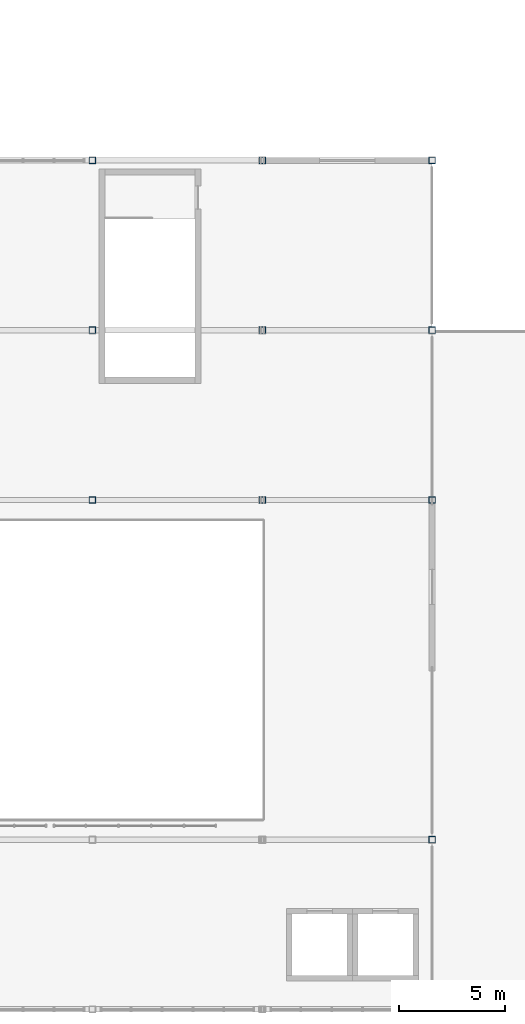
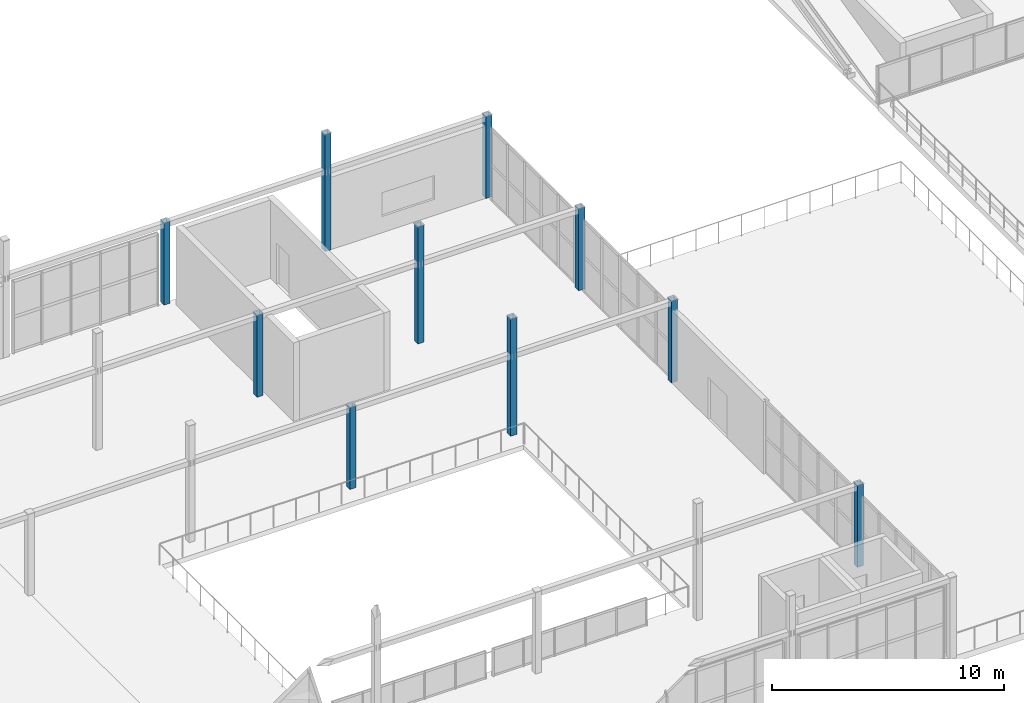
# One storey, part 9 of 83: 10 columns.
"""IFC4 building model written with IfcOpenShell, lengths in metres."""

from ifc_helpers import new_model, si_unit, direction, frame, origin, origin_2d, place, context, subcontext, project, spatial, hollow_rectangle, extrude, material, material_profile, profile_set, type_object, element, save


model = new_model("IFC4")

# Units and contexts
model_context = context("Model", 3, precision=1e-05, world=origin(), true_north=direction((0.0, 1.0)))
body_context = subcontext(model_context, "Body", "Model", "MODEL_VIEW")
ifc_project = project(units=[si_unit("LENGTHUNIT", "METRE"), si_unit("AREAUNIT", "SQUARE_METRE"), si_unit("VOLUMEUNIT", "CUBIC_METRE"), si_unit("PLANEANGLEUNIT", "RADIAN"), si_unit("MASSUNIT", "GRAM", prefix="KILO")], contexts=[model_context])

# Site, building, storey
site_placement = place(None, origin())
site = spatial("IfcSite", under=ifc_project, at=site_placement, CompositionType="ELEMENT")
building_placement = place(site_placement, origin())
building = spatial("IfcBuilding", under=site, at=building_placement, Name="Drelvath Fold Interchange", CompositionType="ELEMENT")
storey_placement = place(building_placement, frame((0.0, 0.0, 11.199951171875)))
storey = spatial("IfcBuildingStorey", under=building, at=storey_placement, Name="L02", CompositionType="ELEMENT", Elevation=11.199951171875)

# Columns
ifc_material = material(Name="Steel ASTM A500 Grade C", Category="steel")
ifc_material_profile = material_profile(ifc_material, hollow_rectangle(XDim=0.304931640625, YDim=0.304931640625, WallThickness=0.01171875, at=origin_2d()), Name="HSS12X12X1/2")
ifc_profile_set = profile_set([ifc_material_profile], Name="Steel ASTM A500 Grade C")
column_type = type_object("IfcColumnType", Name="COL-HSS305", PredefinedType="COLUMN", material=ifc_profile_set)
for number, where, z_axis, x_axis, name in (
    (1, (68.0, 83.0, 0.0), (0.0, 0.0, 1.0), (1.0, 0.0, 0.0), "L02 column (68,83)"),
    (2, (68.0, 91.0, 0.0), (0.0, 0.0, 1.0), (1.0, 0.0, 0.0), "L02 column (68,91)"),
    (3, (68.0, 99.0, 0.0), (0.0, 0.0, 1.0), (1.0, 0.0, 0.0), "L02 column (68,99)"),
):
    element("IfcColumn", number, at=place(storey_placement, frame(where, z_axis=z_axis, x_axis=x_axis)), inside=storey, type_object=column_type, Name=name, PredefinedType="COLUMN", context=body_context, shape_type="SweptSolid", body=[
        extrude(hollow_rectangle(XDim=0.304931640625, YDim=0.304931640625, WallThickness=0.01171875, at=origin_2d()), origin(), (0.0, 0.0, 1.0), 4.300048828125),
    ])
for number, where, z_axis, x_axis, name in (
    (4, (76.0, 83.0, 0.0), (0.0, 0.0, 1.0), (1.0, 0.0, 0.0), "L02 column (76,83)"),
    (5, (76.0, 91.0, 0.0), (0.0, 0.0, 1.0), (1.0, 0.0, 0.0), "L02 column (76,91)"),
    (6, (76.0, 99.0, 0.0), (0.0, 0.0, 1.0), (1.0, 0.0, 0.0), "L02 column (76,99)"),
):
    element("IfcColumn", number, at=place(storey_placement, frame(where, z_axis=z_axis, x_axis=x_axis)), inside=storey, type_object=column_type, Name=name, PredefinedType="COLUMN", context=body_context, shape_type="SweptSolid", body=[
        extrude(hollow_rectangle(XDim=0.304931640625, YDim=0.304931640625, WallThickness=0.01171875, at=origin_2d()), origin(), (0.0, 0.0, 1.0), 6.150146484375),
    ])
for number, where, z_axis, x_axis, name in (
    (7, (84.0, 67.0, 0.0), (0.0, 0.0, 1.0), (1.0, 0.0, 0.0), "L02 column (84,67)"),
    (8, (84.0, 83.0, 0.0), (0.0, 0.0, 1.0), (1.0, 0.0, 0.0), "L02 column (84,83)"),
    (9, (84.0, 91.0, 0.0), (0.0, 0.0, 1.0), (1.0, 0.0, 0.0), "L02 column (84,91)"),
    (10, (84.0, 99.0, 0.0), (0.0, 0.0, 1.0), (1.0, 0.0, 0.0), "L02 column (84,99)"),
):
    element("IfcColumn", number, at=place(storey_placement, frame(where, z_axis=z_axis, x_axis=x_axis)), inside=storey, type_object=column_type, Name=name, PredefinedType="COLUMN", context=body_context, shape_type="SweptSolid", body=[
        extrude(hollow_rectangle(XDim=0.304931640625, YDim=0.304931640625, WallThickness=0.01171875, at=origin_2d()), origin(), (0.0, 0.0, 1.0), 4.300048828125),
    ])

save(model, "model.ifc")
